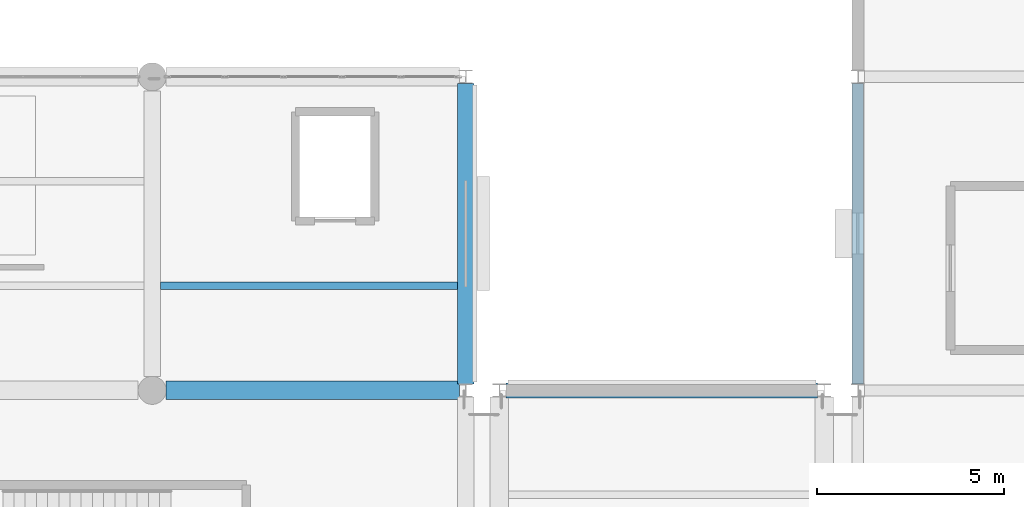
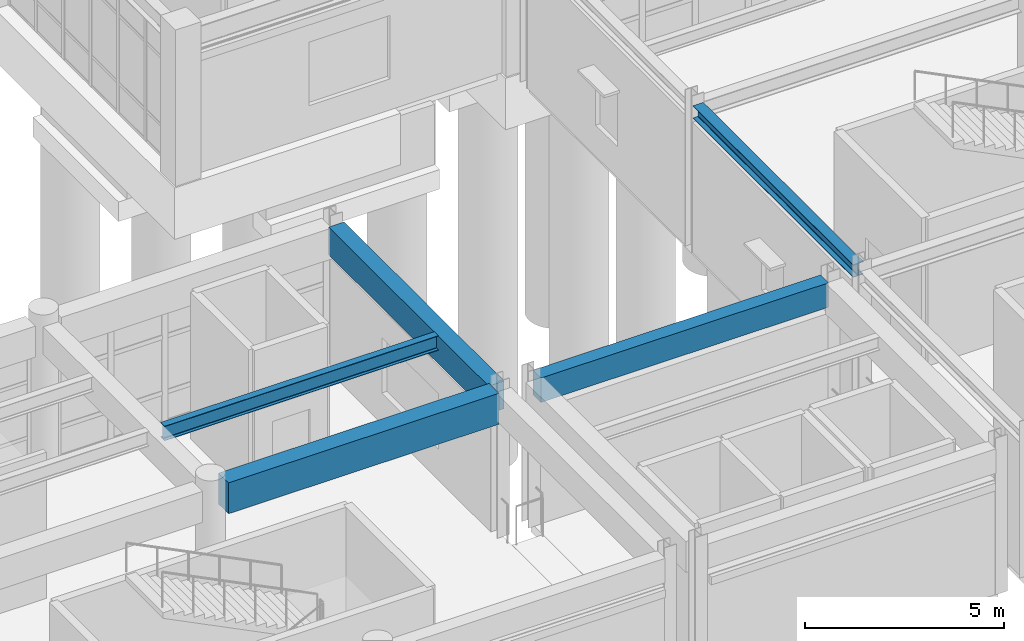
# One storey, part 23 of 139: 5 beams.
"""IFC4 building model written with IfcOpenShell, lengths in metres."""

from ifc_helpers import new_model, si_unit, direction, frame, origin, origin_2d, place, context, subcontext, project, spatial, rectangle, i_section, extrude, material, material_profile, profile_set, type_object, element, save


model = new_model("IFC4")

# Units and contexts
model_context = context("Model", 3, precision=1e-05, world=origin(), true_north=direction((0.0, 1.0)))
body_context = subcontext(model_context, "Body", "Model", "MODEL_VIEW")
ifc_project = project(units=[si_unit("LENGTHUNIT", "METRE"), si_unit("AREAUNIT", "SQUARE_METRE"), si_unit("VOLUMEUNIT", "CUBIC_METRE"), si_unit("PLANEANGLEUNIT", "RADIAN"), si_unit("MASSUNIT", "GRAM", prefix="KILO")], contexts=[model_context])

# Site, building, storey
site_placement = place(None, origin())
site = spatial("IfcSite", under=ifc_project, at=site_placement, CompositionType="ELEMENT")
building_placement = place(site_placement, origin())
building = spatial("IfcBuilding", under=site, at=building_placement, Name="Canglan Escarpment Cableway Terminal", CompositionType="ELEMENT")
storey_placement = place(building_placement, frame((0.0, 0.0, 14.39990234375)))
storey = spatial("IfcBuildingStorey", under=building, at=storey_placement, Name="L03", CompositionType="ELEMENT", Elevation=14.39990234375)

# Beams
ifc_material_1 = material(Name="Steel Q355B", Category="steel")
ifc_material_profile_1 = material_profile(ifc_material_1, i_section(OverallWidth=0.300048828125, OverallDepth=0.389892578125, WebThickness=0.010009765625, FlangeThickness=0.01611328125, FilletRadius=0.02197265625, at=origin_2d()), Name="HM 390x300x10x16")
ifc_profile_set_1 = profile_set([ifc_material_profile_1], Name="Steel Q355B")
beam_type_1 = type_object("IfcBeamType", Name="BM-ARCH-TOP-HM390", PredefinedType="BEAM", material=ifc_profile_set_1)
beam_1_placement = place(storey_placement, frame((147.199951171875, 16.574951171875, 4.30517578125), z_axis=(0.0, 1.0, 0.0), x_axis=(-1.0, 0.0, 0.0)))
element("IfcBeam", 1, at=beam_1_placement, inside=storey, type_object=beam_type_1, Name="Primary transverse girder AR-TC1", PredefinedType="BEAM", context=body_context, shape_type="SweptSolid", body=[
    extrude(i_section(OverallWidth=0.300048828125, OverallDepth=0.389892578125, WebThickness=0.010009765625, FlangeThickness=0.01611328125, FilletRadius=0.02197265625, at=origin_2d()), origin(), (0.0, 0.0, 1.0), 8.050048828125),
])
ifc_material_2 = material(Name="Concrete C40", Category="concrete")
ifc_material_profile_2 = material_profile(ifc_material_2, rectangle(XDim=0.449951171875, YDim=0.85009765625, at=origin_2d()), Name="RC 450x850")
ifc_profile_set_2 = profile_set([ifc_material_profile_2], Name="Concrete C40")
beam_type_2 = type_object("IfcBeamType", Name="BM-RC450x850", PredefinedType="BEAM", material=ifc_profile_set_2)
beam_2_placement = place(storey_placement, frame((136.699951171875, 16.574951171875, 4.05517578125), z_axis=(0.0, 1.0, 0.0), x_axis=(-1.0, 0.0, 0.0)))
element("IfcBeam", 2, at=beam_2_placement, inside=storey, type_object=beam_type_2, Name="Primary transverse girder B-02", PredefinedType="BEAM", context=body_context, shape_type="SweptSolid", body=[
    extrude(rectangle(XDim=0.449951171875, YDim=0.85009765625, at=origin_2d()), origin(), (0.0, 0.0, 1.0), 8.050048828125),
])
ifc_material_3 = material(Name="Concrete C50", Category="concrete")
ifc_material_profile_3 = material_profile(ifc_material_3, rectangle(XDim=0.5, YDim=0.949951171875, at=origin_2d()), Name="RC 500x950")
ifc_profile_set_3 = profile_set([ifc_material_profile_3], Name="Concrete C50")
beam_type_3 = type_object("IfcBeamType", Name="BM-RC500x950", PredefinedType="BEAM", material=ifc_profile_set_3)
beam_3_placement = place(storey_placement, frame((128.675048828125, 16.39990234375, 4.025146484375), z_axis=(1.0, 0.0, 0.0), x_axis=(0.0, 1.0, 0.0)))
element("IfcBeam", 3, at=beam_3_placement, inside=storey, type_object=beam_type_3, Name="Primary structural girder B-01", PredefinedType="BEAM", context=body_context, shape_type="SweptSolid", body=[
    extrude(rectangle(XDim=0.5, YDim=0.949951171875, at=origin_2d()), origin(), (0.0, 0.0, 1.0), 7.849853515625),
])
ifc_material_profile_4 = material_profile(ifc_material_1, i_section(OverallWidth=0.199951171875, OverallDepth=0.449951171875, WebThickness=0.009033203125, FlangeThickness=0.013916015625, FilletRadius=0.01806640625, at=origin_2d()), Name="HN 450x200x9x14")
ifc_profile_set_4 = profile_set([ifc_material_profile_4], Name="Steel Q355B")
beam_type_4 = type_object("IfcBeamType", Name="JS-HN450", PredefinedType="JOIST", material=ifc_profile_set_4)
beam_4_placement = place(storey_placement, frame((128.52490234375, 19.199951171875, 4.275146484375), z_axis=(1.0, 0.0, 0.0), x_axis=(0.0, 1.0, 0.0)))
element("IfcBeam", 4, at=beam_4_placement, inside=storey, type_object=beam_type_4, Name="Secondary composite deck joist J-02", PredefinedType="JOIST", context=body_context, shape_type="SweptSolid", body=[
    extrude(i_section(OverallWidth=0.199951171875, OverallDepth=0.449951171875, WebThickness=0.009033203125, FlangeThickness=0.013916015625, FilletRadius=0.01806640625, at=origin_2d()), origin(), (0.0, 0.0, 1.0), 7.9501953125),
])
ifc_material_profile_5 = material_profile(ifc_material_2, rectangle(XDim=0.39990234375, YDim=0.75, at=origin_2d()), Name="RC 400x750")
ifc_profile_set_5 = profile_set([ifc_material_profile_5], Name="Concrete C40")
beam_type_5 = type_object("IfcBeamType", Name="SP-RC400x750", PredefinedType="SPANDREL", material=ifc_profile_set_5)
beam_5_placement = place(storey_placement, frame((137.77490234375, 16.39990234375, 4.125), z_axis=(1.0, 0.0, 0.0), x_axis=(0.0, 1.0, 0.0)))
element("IfcBeam", 5, at=beam_5_placement, inside=storey, type_object=beam_type_5, Name="Primary structural girder SP-01", PredefinedType="SPANDREL", context=body_context, shape_type="SweptSolid", body=[
    extrude(rectangle(XDim=0.39990234375, YDim=0.75, at=origin_2d()), origin(), (0.0, 0.0, 1.0), 8.35009765625),
])

save(model, "model.ifc")
